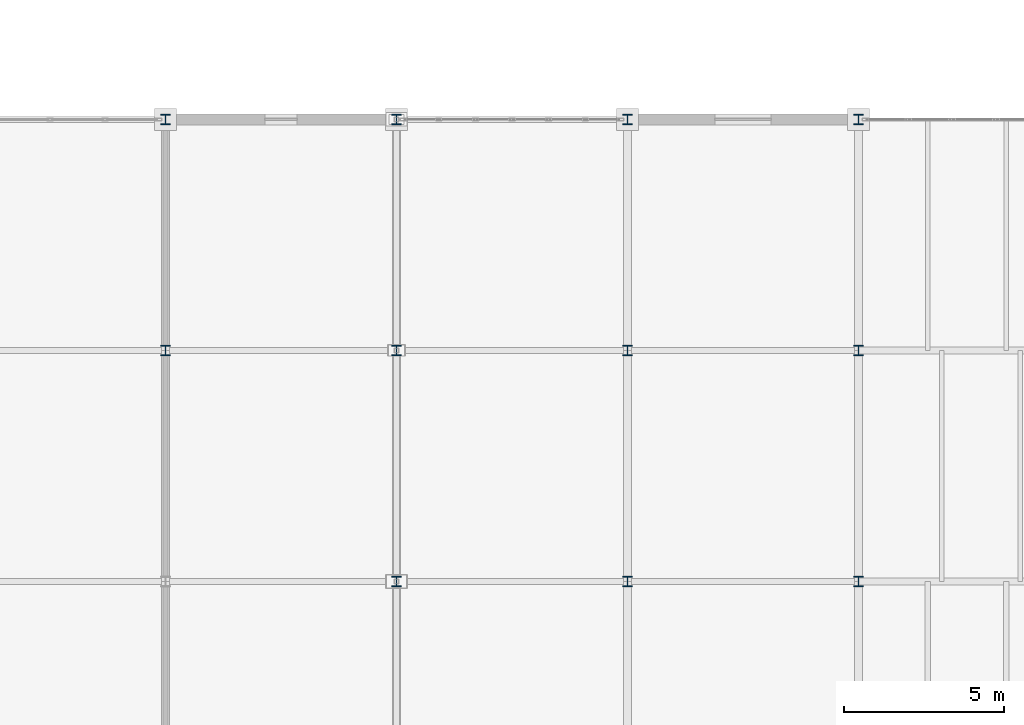
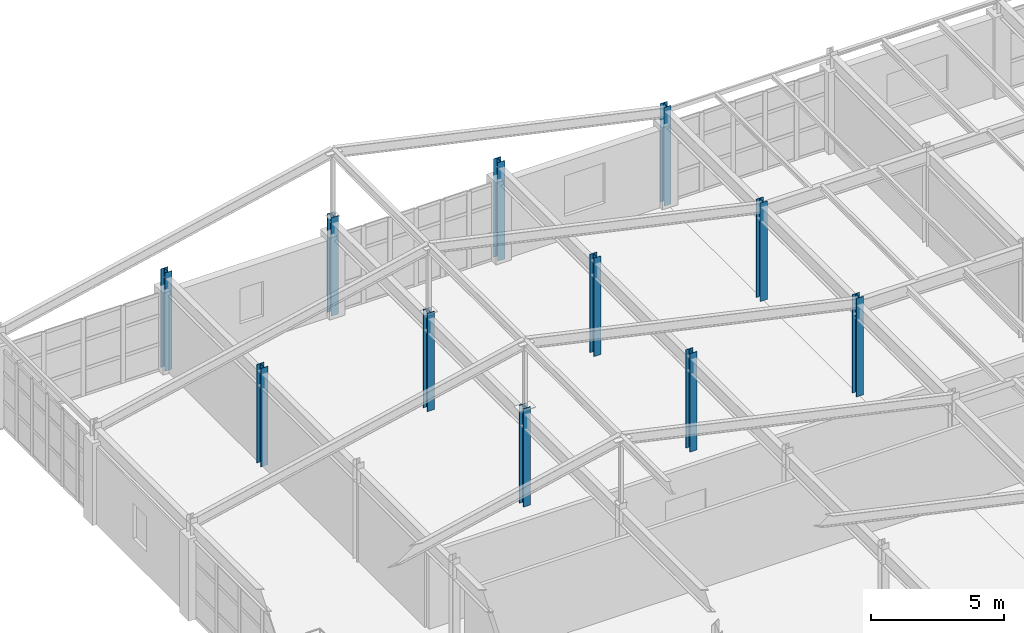
# One storey, part 16 of 137: 11 columns.
"""IFC4 building model written with IfcOpenShell, lengths in metres."""

from ifc_helpers import new_model, si_unit, direction, frame, origin, origin_2d, place, context, subcontext, project, spatial, i_section, extrude, material, material_profile, profile_set, type_object, element, save


model = new_model("IFC4")

# Units and contexts
model_context = context("Model", 3, precision=1e-05, world=origin(), true_north=direction((0.0, 1.0)))
body_context = subcontext(model_context, "Body", "Model", "MODEL_VIEW")
ifc_project = project(units=[si_unit("LENGTHUNIT", "METRE"), si_unit("AREAUNIT", "SQUARE_METRE"), si_unit("VOLUMEUNIT", "CUBIC_METRE"), si_unit("PLANEANGLEUNIT", "RADIAN"), si_unit("MASSUNIT", "GRAM", prefix="KILO")], contexts=[model_context])

# Site, building, storey
site_placement = place(None, origin())
site = spatial("IfcSite", under=ifc_project, at=site_placement, CompositionType="ELEMENT")
building_placement = place(site_placement, origin())
building = spatial("IfcBuilding", under=site, at=building_placement, Name="Kemerveld Promenade Tramway Depot", CompositionType="ELEMENT")
storey_placement = place(building_placement, frame((0.0, 0.0, 5.39990234375)))
storey = spatial("IfcBuildingStorey", under=building, at=storey_placement, Name="L01", CompositionType="ELEMENT", Elevation=5.39990234375)

# Columns
ifc_material = material(Name="Steel S355", Category="steel")
ifc_material_profile = material_profile(ifc_material, i_section(OverallWidth=0.307373046875, OverallDepth=0.314453125, WebThickness=0.011962890625, FlangeThickness=0.018798828125, FilletRadius=0.01513671875, at=origin_2d()), Name="305x305x118 UC")
ifc_profile_set = profile_set([ifc_material_profile], Name="Steel S355")
column_type = type_object("IfcColumnType", Name="COL-S06", PredefinedType="COLUMN", material=ifc_profile_set)
for number, where, z_axis, x_axis, name in (
    (1, (165.60009765625, 43.199951171875, 0.0), (0.0, 0.0, 1.0), (1.0, 0.0, 0.0), "COL-L01-24-G"),
    (2, (165.60009765625, 50.39990234375, 0.0), (0.0, 0.0, 1.0), (1.0, 0.0, 0.0), "COL-L01-24-H"),
    (3, (172.800048828125, 36.0, 0.0), (0.0, 0.0, 1.0), (1.0, 0.0, 0.0), "COL-L01-25-F"),
    (4, (172.800048828125, 43.199951171875, 0.0), (0.0, 0.0, 1.0), (1.0, 0.0, 0.0), "COL-L01-25-G"),
    (5, (172.800048828125, 50.39990234375, 0.0), (0.0, 0.0, 1.0), (1.0, 0.0, 0.0), "COL-L01-25-H"),
    (6, (180.0, 36.0, 0.0), (0.0, 0.0, 1.0), (1.0, 0.0, 0.0), "COL-L01-26-F"),
    (7, (180.0, 43.199951171875, 0.0), (0.0, 0.0, 1.0), (1.0, 0.0, 0.0), "COL-L01-26-G"),
    (8, (180.0, 50.39990234375, 0.0), (0.0, 0.0, 1.0), (1.0, 0.0, 0.0), "COL-L01-26-H"),
    (9, (187.199951171875, 36.0, 0.0), (0.0, 0.0, 1.0), (1.0, 0.0, 0.0), "COL-L01-27-F"),
    (10, (187.199951171875, 43.199951171875, 0.0), (0.0, 0.0, 1.0), (1.0, 0.0, 0.0), "COL-L01-27-G"),
    (11, (187.199951171875, 50.39990234375, 0.0), (0.0, 0.0, 1.0), (1.0, 0.0, 0.0), "COL-L01-27-H"),
):
    element("IfcColumn", number, at=place(storey_placement, frame(where, z_axis=z_axis, x_axis=x_axis)), inside=storey, type_object=column_type, Name=name, PredefinedType="COLUMN", context=body_context, shape_type="SweptSolid", body=[
        extrude(i_section(OverallWidth=0.307373046875, OverallDepth=0.314453125, WebThickness=0.011962890625, FlangeThickness=0.018798828125, FilletRadius=0.01513671875, at=origin_2d()), origin(), (0.0, 0.0, 1.0), 4.5),
    ])

save(model, "model.ifc")
